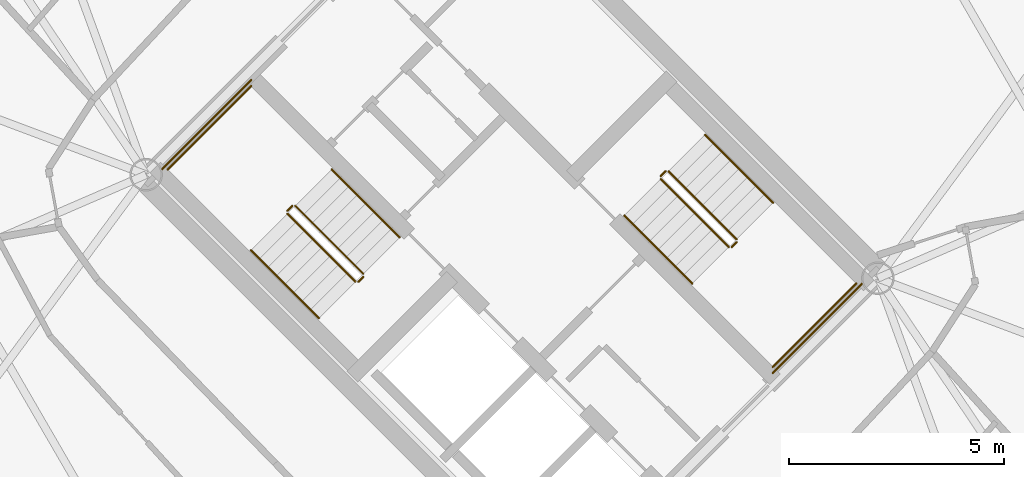
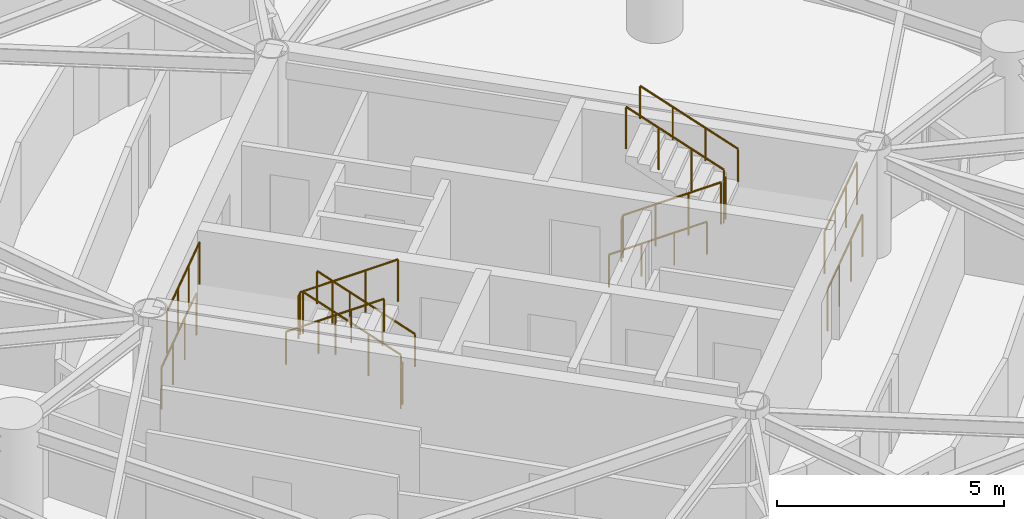
# One storey, part 16 of 17: 16 railings.
"""IFC4 building model written with IfcOpenShell, lengths in metres."""

from ifc_helpers import new_model, si_unit, direction, frame, origin, origin_2d, place, context, subcontext, project, spatial, circle, extrude, material, type_object, element, save


model = new_model("IFC4")

# Units and contexts
model_context = context("Model", 3, precision=1e-05, world=origin(), true_north=direction((0.0, 1.0)))
body_context = subcontext(model_context, "Body", "Model", "MODEL_VIEW")
ifc_project = project(units=[si_unit("LENGTHUNIT", "METRE"), si_unit("AREAUNIT", "SQUARE_METRE"), si_unit("VOLUMEUNIT", "CUBIC_METRE"), si_unit("PLANEANGLEUNIT", "RADIAN"), si_unit("MASSUNIT", "GRAM", prefix="KILO")], contexts=[model_context])

# Site, building, storey
site_placement = place(None, origin())
site = spatial("IfcSite", under=ifc_project, at=site_placement, CompositionType="ELEMENT")
building_placement = place(site_placement, origin())
building = spatial("IfcBuilding", under=site, at=building_placement, Name="Cununo Teusaquillo Station Towers", CompositionType="ELEMENT")
storey_placement = place(building_placement, frame((0.0, 0.0, 163.239990234375)))
storey = spatial("IfcBuildingStorey", under=building, at=storey_placement, Name="L51", CompositionType="ELEMENT", Elevation=163.239990234375)

# Railings
ifc_material_1 = material(Name="Steel EN 10025-2 S355J2", Category="steel")
railing_type_1 = type_object("IfcRailingType", Name="RL-INT-GUARD", PredefinedType="GUARDRAIL", material=ifc_material_1)
railing_1_placement = place(storey_placement, frame((54.03515625, 23.39697265625, 0.16162109375)))
element("IfcRailing", 1, at=railing_1_placement, inside=storey, type_object=railing_type_1, Name="L51 ST-T2-1 stair guard 1", PredefinedType="GUARDRAIL", context=body_context, shape_type="SweptSolid", body=[
    extrude(circle(Radius=0.02392578125, at=origin_2d()), frame((0.0, 0.0, 1.1259765625), z_axis=(-0.612332353853, 0.612332353853, 0.500098167213), x_axis=(-0.707106781187, -0.707106781187, 0.0)), (0.0, 0.0, 1.0), 2.58642578125),
    extrude(circle(Radius=0.02099609375, at=origin_2d()), origin(), (0.0, 0.0, 1.0), 1.101806640625),
    extrude(circle(Radius=0.02099609375, at=origin_2d()), frame((-0.52783203125, 0.52783203125, 0.43115234375)), (0.0, 0.0, 1.0), 1.101806640625),
    extrude(circle(Radius=0.02099609375, at=origin_2d()), frame((-1.055908203125, 1.055908203125, 0.8623046875)), (0.0, 0.0, 1.0), 1.101806640625),
    extrude(circle(Radius=0.02099609375, at=origin_2d()), frame((-1.583740234375, 1.583740234375, 1.29345703125)), (0.0, 0.0, 1.0), 1.101806640625),
])
railing_2_placement = place(storey_placement, frame((52.380615234375, 24.980712890625, 1.455078125)))
element("IfcRailing", 2, at=railing_2_placement, inside=storey, type_object=railing_type_1, Name="L51 ST-T2-1 stair guard 2", PredefinedType="GUARDRAIL", context=body_context, shape_type="SweptSolid", body=[
    extrude(circle(Radius=0.02392578125, at=origin_2d()), frame((0.0, 0.0, 1.1259765625), z_axis=(-0.7078691598, -0.706343579714, 0.0), x_axis=(0.706343579714, -0.7078691598, 0.0)), (0.0, 0.0, 1.0), 0.159912109375),
    extrude(circle(Radius=0.02099609375, at=origin_2d()), origin(), (0.0, 0.0, 1.0), 1.101806640625),
    extrude(circle(Radius=0.02099609375, at=origin_2d()), frame((-0.11328125, -0.113037109375, 0.0)), (0.0, 0.0, 1.0), 1.101806640625),
])
railing_3_placement = place(storey_placement, frame((51.426025390625, 27.77392578125, 1.455078125)))
element("IfcRailing", 3, at=railing_3_placement, inside=storey, type_object=railing_type_1, Name="L51 ST-T2-1 stair guard 3", PredefinedType="GUARDRAIL", context=body_context, shape_type="SweptSolid", body=[
    extrude(circle(Radius=0.02392578125, at=origin_2d()), frame((0.0, 0.0, 1.1259765625), z_axis=(-0.707106781187, -0.707106781187, 0.0), x_axis=(0.707106781187, -0.707106781187, 0.0)), (0.0, 0.0, 1.0), 2.760009765625),
    extrude(circle(Radius=0.02099609375, at=origin_2d()), origin(), (0.0, 0.0, 1.0), 1.101806640625),
    extrude(circle(Radius=0.02099609375, at=origin_2d()), frame((-0.650634765625, -0.650634765625, 0.0)), (0.0, 0.0, 1.0), 1.101806640625),
    extrude(circle(Radius=0.02099609375, at=origin_2d()), frame((-1.301025390625, -1.301025390625, 0.0)), (0.0, 0.0, 1.0), 1.101806640625),
    extrude(circle(Radius=0.02099609375, at=origin_2d()), frame((-1.95166015625, -1.95166015625, 0.0)), (0.0, 0.0, 1.0), 1.101806640625),
])
railing_4_placement = place(storey_placement, frame((52.267333984375, 24.796875, 1.61669921875)))
element("IfcRailing", 4, at=railing_4_placement, inside=storey, type_object=railing_type_1, Name="L51 ST-T2-1 stair guard 4", PredefinedType="GUARDRAIL", context=body_context, shape_type="SweptSolid", body=[
    extrude(circle(Radius=0.02392578125, at=origin_2d()), frame((0.0, 0.0, 1.1259765625), z_axis=(0.612420254088, -0.612325861324, 0.499998471934), x_axis=(0.707052281454, 0.707161276719, 0.0)), (0.0, 0.0, 1.0), 2.58642578125),
    extrude(circle(Radius=0.02099609375, at=origin_2d()), origin(), (0.0, 0.0, 1.0), 1.101806640625),
    extrude(circle(Radius=0.02099609375, at=origin_2d()), frame((0.528076171875, -0.52783203125, 0.43115234375)), (0.0, 0.0, 1.0), 1.101806640625),
    extrude(circle(Radius=0.02099609375, at=origin_2d()), frame((1.055908203125, -1.055908203125, 0.862060546875)), (0.0, 0.0, 1.0), 1.101806640625),
    extrude(circle(Radius=0.02099609375, at=origin_2d()), frame((1.583984375, -1.583740234375, 1.293212890625)), (0.0, 0.0, 1.0), 1.101806640625),
])
railing_5_placement = place(storey_placement, frame((54.03515625, 23.326171875, 0.0)))
element("IfcRailing", 5, at=railing_5_placement, inside=storey, type_object=railing_type_1, Name="L51 ST-T2-1 stair guard 5", PredefinedType="GUARDRAIL", context=body_context, shape_type="SweptSolid", body=[
    extrude(circle(Radius=0.02392578125, at=origin_2d()), frame((0.0, 0.0, 1.1259765625), z_axis=(-0.707106781187, -0.707106781187, 0.0), x_axis=(0.707106781187, -0.707106781187, 0.0)), (0.0, 0.0, 1.0), 0.159912109375),
    extrude(circle(Radius=0.02099609375, at=origin_2d()), origin(), (0.0, 0.0, 1.0), 1.101806640625),
    extrude(circle(Radius=0.02099609375, at=origin_2d()), frame((-0.113037109375, -0.113037109375, 0.0)), (0.0, 0.0, 1.0), 1.101806640625),
])
railing_6_placement = place(storey_placement, frame((51.426025390625, 27.915283203125, 0.0)))
element("IfcRailing", 6, at=railing_6_placement, inside=storey, type_object=railing_type_1, Name="L51 ST-T2-1 stair guard 6", PredefinedType="GUARDRAIL", context=body_context, shape_type="SweptSolid", body=[
    extrude(circle(Radius=0.02392578125, at=origin_2d()), frame((0.0, 0.0, 1.1259765625), z_axis=(-0.707106781187, -0.707106781187, 0.0), x_axis=(0.707106781187, -0.707106781187, 0.0)), (0.0, 0.0, 1.0), 2.9599609375),
    extrude(circle(Radius=0.02099609375, at=origin_2d()), origin(), (0.0, 0.0, 1.0), 1.101806640625),
    extrude(circle(Radius=0.02099609375, at=origin_2d()), frame((-0.69775390625, -0.69775390625, 0.0)), (0.0, 0.0, 1.0), 1.101806640625),
    extrude(circle(Radius=0.02099609375, at=origin_2d()), frame((-1.395263671875, -1.395263671875, 0.0)), (0.0, 0.0, 1.0), 1.101806640625),
    extrude(circle(Radius=0.02099609375, at=origin_2d()), frame((-2.093017578125, -2.093017578125, 0.0)), (0.0, 0.0, 1.0), 1.101806640625),
])
railing_7_placement = place(storey_placement, frame((60.96484375, 25.60302734375, 0.16162109375)))
element("IfcRailing", 7, at=railing_7_placement, inside=storey, type_object=railing_type_1, Name="L51 ST-T2-2 stair guard 1", PredefinedType="GUARDRAIL", context=body_context, shape_type="SweptSolid", body=[
    extrude(circle(Radius=0.02392578125, at=origin_2d()), frame((0.0, 0.0, 1.1259765625), z_axis=(0.612332353853, -0.612332353853, 0.500098167213), x_axis=(0.707106781187, 0.707106781187, 0.0)), (0.0, 0.0, 1.0), 2.58642578125),
    extrude(circle(Radius=0.02099609375, at=origin_2d()), origin(), (0.0, 0.0, 1.0), 1.101806640625),
    extrude(circle(Radius=0.02099609375, at=origin_2d()), frame((0.52783203125, -0.52783203125, 0.43115234375)), (0.0, 0.0, 1.0), 1.101806640625),
    extrude(circle(Radius=0.02099609375, at=origin_2d()), frame((1.055908203125, -1.055908203125, 0.8623046875)), (0.0, 0.0, 1.0), 1.101806640625),
    extrude(circle(Radius=0.02099609375, at=origin_2d()), frame((1.583740234375, -1.583740234375, 1.29345703125)), (0.0, 0.0, 1.0), 1.101806640625),
])
railing_8_placement = place(storey_placement, frame((62.619384765625, 24.019287109375, 1.455078125)))
element("IfcRailing", 8, at=railing_8_placement, inside=storey, type_object=railing_type_1, Name="L51 ST-T2-2 stair guard 2", PredefinedType="GUARDRAIL", context=body_context, shape_type="SweptSolid", body=[
    extrude(circle(Radius=0.02392578125, at=origin_2d()), frame((0.0, 0.0, 1.1259765625), z_axis=(0.7078691598, 0.706343579714, 0.0), x_axis=(-0.706343579714, 0.7078691598, 0.0)), (0.0, 0.0, 1.0), 0.159912109375),
    extrude(circle(Radius=0.02099609375, at=origin_2d()), origin(), (0.0, 0.0, 1.0), 1.101806640625),
    extrude(circle(Radius=0.02099609375, at=origin_2d()), frame((0.11328125, 0.113037109375, 0.0)), (0.0, 0.0, 1.0), 1.101806640625),
])
railing_9_placement = place(storey_placement, frame((63.573974609375, 21.22607421875, 1.455078125)))
element("IfcRailing", 9, at=railing_9_placement, inside=storey, type_object=railing_type_1, Name="L51 ST-T2-2 stair guard 3", PredefinedType="GUARDRAIL", context=body_context, shape_type="SweptSolid", body=[
    extrude(circle(Radius=0.02392578125, at=origin_2d()), frame((0.0, 0.0, 1.1259765625), z_axis=(0.707106781187, 0.707106781187, 0.0), x_axis=(-0.707106781187, 0.707106781187, 0.0)), (0.0, 0.0, 1.0), 2.760009765625),
    extrude(circle(Radius=0.02099609375, at=origin_2d()), origin(), (0.0, 0.0, 1.0), 1.101806640625),
    extrude(circle(Radius=0.02099609375, at=origin_2d()), frame((0.650634765625, 0.650634765625, 0.0)), (0.0, 0.0, 1.0), 1.101806640625),
    extrude(circle(Radius=0.02099609375, at=origin_2d()), frame((1.301025390625, 1.301025390625, 0.0)), (0.0, 0.0, 1.0), 1.101806640625),
    extrude(circle(Radius=0.02099609375, at=origin_2d()), frame((1.95166015625, 1.95166015625, 0.0)), (0.0, 0.0, 1.0), 1.101806640625),
])
railing_10_placement = place(storey_placement, frame((62.732666015625, 24.203125, 1.61669921875)))
element("IfcRailing", 10, at=railing_10_placement, inside=storey, type_object=railing_type_1, Name="L51 ST-T2-2 stair guard 4", PredefinedType="GUARDRAIL", context=body_context, shape_type="SweptSolid", body=[
    extrude(circle(Radius=0.02392578125, at=origin_2d()), frame((0.0, 0.0, 1.1259765625), z_axis=(-0.612420254088, 0.612325861324, 0.499998471934), x_axis=(-0.707052281454, -0.707161276719, 0.0)), (0.0, 0.0, 1.0), 2.58642578125),
    extrude(circle(Radius=0.02099609375, at=origin_2d()), origin(), (0.0, 0.0, 1.0), 1.101806640625),
    extrude(circle(Radius=0.02099609375, at=origin_2d()), frame((-0.528076171875, 0.52783203125, 0.43115234375)), (0.0, 0.0, 1.0), 1.101806640625),
    extrude(circle(Radius=0.02099609375, at=origin_2d()), frame((-1.055908203125, 1.055908203125, 0.862060546875)), (0.0, 0.0, 1.0), 1.101806640625),
    extrude(circle(Radius=0.02099609375, at=origin_2d()), frame((-1.583984375, 1.583740234375, 1.293212890625)), (0.0, 0.0, 1.0), 1.101806640625),
])
railing_11_placement = place(storey_placement, frame((60.96484375, 25.673828125, 0.0)))
element("IfcRailing", 11, at=railing_11_placement, inside=storey, type_object=railing_type_1, Name="L51 ST-T2-2 stair guard 5", PredefinedType="GUARDRAIL", context=body_context, shape_type="SweptSolid", body=[
    extrude(circle(Radius=0.02392578125, at=origin_2d()), frame((0.0, 0.0, 1.1259765625), z_axis=(0.707106781187, 0.707106781187, 0.0), x_axis=(-0.707106781187, 0.707106781187, 0.0)), (0.0, 0.0, 1.0), 0.159912109375),
    extrude(circle(Radius=0.02099609375, at=origin_2d()), origin(), (0.0, 0.0, 1.0), 1.101806640625),
    extrude(circle(Radius=0.02099609375, at=origin_2d()), frame((0.113037109375, 0.113037109375, 0.0)), (0.0, 0.0, 1.0), 1.101806640625),
])
railing_12_placement = place(storey_placement, frame((63.573974609375, 21.084716796875, 0.0)))
element("IfcRailing", 12, at=railing_12_placement, inside=storey, type_object=railing_type_1, Name="L51 ST-T2-2 stair guard 6", PredefinedType="GUARDRAIL", context=body_context, shape_type="SweptSolid", body=[
    extrude(circle(Radius=0.02392578125, at=origin_2d()), frame((0.0, 0.0, 1.1259765625), z_axis=(0.707106781187, 0.707106781187, 0.0), x_axis=(-0.707106781187, 0.707106781187, 0.0)), (0.0, 0.0, 1.0), 2.9599609375),
    extrude(circle(Radius=0.02099609375, at=origin_2d()), origin(), (0.0, 0.0, 1.0), 1.101806640625),
    extrude(circle(Radius=0.02099609375, at=origin_2d()), frame((0.69775390625, 0.69775390625, 0.0)), (0.0, 0.0, 1.0), 1.101806640625),
    extrude(circle(Radius=0.02099609375, at=origin_2d()), frame((1.395263671875, 1.395263671875, 0.0)), (0.0, 0.0, 1.0), 1.101806640625),
    extrude(circle(Radius=0.02099609375, at=origin_2d()), frame((2.093017578125, 2.093017578125, 0.0)), (0.0, 0.0, 1.0), 1.101806640625),
])
ifc_material_2 = material(Name="Steel EN 10025-2 S355J2", Category="steel")
railing_type_2 = type_object("IfcRailingType", Name="RL-INT-HRAIL", PredefinedType="HANDRAIL", material=ifc_material_2)
railing_13_placement = place(storey_placement, frame((54.8837890625, 24.245361328125, 0.16162109375)))
element("IfcRailing", 13, at=railing_13_placement, inside=storey, type_object=railing_type_2, Name="L51 ST-T2-1 stair handrail 1", PredefinedType="HANDRAIL", context=body_context, shape_type="SweptSolid", body=[
    extrude(circle(Radius=0.02392578125, at=origin_2d()), frame((0.0, 0.0, 0.8759765625), z_axis=(-0.612355957468, 0.612355957468, 0.500040361077), x_axis=(-0.707106781187, -0.707106781187, 0.0)), (0.0, 0.0, 1.0), 2.586669921875),
    extrude(circle(Radius=0.02099609375, at=origin_2d()), origin(), (0.0, 0.0, 1.0), 0.851806640625),
    extrude(circle(Radius=0.02099609375, at=origin_2d()), frame((-0.528076171875, 0.528076171875, 0.43115234375)), (0.0, 0.0, 1.0), 0.851806640625),
    extrude(circle(Radius=0.02099609375, at=origin_2d()), frame((-1.055908203125, 1.055908203125, 0.8623046875)), (0.0, 0.0, 1.0), 0.851806640625),
    extrude(circle(Radius=0.02099609375, at=origin_2d()), frame((-1.583984375, 1.583984375, 1.29345703125)), (0.0, 0.0, 1.0), 0.851806640625),
])
railing_14_placement = place(storey_placement, frame((51.4189453125, 23.948486328125, 1.61669921875)))
element("IfcRailing", 14, at=railing_14_placement, inside=storey, type_object=railing_type_2, Name="L51 ST-T2-1 stair handrail 2", PredefinedType="HANDRAIL", context=body_context, shape_type="SweptSolid", body=[
    extrude(circle(Radius=0.02392578125, at=origin_2d()), frame((0.0, 0.0, 0.8759765625), z_axis=(0.612384857071, -0.612384857071, 0.499969572735), x_axis=(0.707106781187, 0.707106781187, 0.0)), (0.0, 0.0, 1.0), 2.586669921875),
    extrude(circle(Radius=0.02099609375, at=origin_2d()), origin(), (0.0, 0.0, 1.0), 0.851806640625),
    extrude(circle(Radius=0.02099609375, at=origin_2d()), frame((0.528076171875, -0.528076171875, 0.43115234375)), (0.0, 0.0, 1.0), 0.851806640625),
    extrude(circle(Radius=0.02099609375, at=origin_2d()), frame((1.055908203125, -1.055908203125, 0.862060546875)), (0.0, 0.0, 1.0), 0.851806640625),
    extrude(circle(Radius=0.02099609375, at=origin_2d()), frame((1.583984375, -1.583984375, 1.293212890625)), (0.0, 0.0, 1.0), 0.851806640625),
])
railing_15_placement = place(storey_placement, frame((60.1162109375, 24.754638671875, 0.16162109375)))
element("IfcRailing", 15, at=railing_15_placement, inside=storey, type_object=railing_type_2, Name="L51 ST-T2-2 stair handrail 1", PredefinedType="HANDRAIL", context=body_context, shape_type="SweptSolid", body=[
    extrude(circle(Radius=0.02392578125, at=origin_2d()), frame((0.0, 0.0, 0.8759765625), z_axis=(0.612355957468, -0.612355957468, 0.500040361077), x_axis=(0.707106781187, 0.707106781187, 0.0)), (0.0, 0.0, 1.0), 2.586669921875),
    extrude(circle(Radius=0.02099609375, at=origin_2d()), origin(), (0.0, 0.0, 1.0), 0.851806640625),
    extrude(circle(Radius=0.02099609375, at=origin_2d()), frame((0.528076171875, -0.528076171875, 0.43115234375)), (0.0, 0.0, 1.0), 0.851806640625),
    extrude(circle(Radius=0.02099609375, at=origin_2d()), frame((1.055908203125, -1.055908203125, 0.8623046875)), (0.0, 0.0, 1.0), 0.851806640625),
    extrude(circle(Radius=0.02099609375, at=origin_2d()), frame((1.583984375, -1.583984375, 1.29345703125)), (0.0, 0.0, 1.0), 0.851806640625),
])
railing_16_placement = place(storey_placement, frame((63.5810546875, 25.051513671875, 1.61669921875)))
element("IfcRailing", 16, at=railing_16_placement, inside=storey, type_object=railing_type_2, Name="L51 ST-T2-2 stair handrail 2", PredefinedType="HANDRAIL", context=body_context, shape_type="SweptSolid", body=[
    extrude(circle(Radius=0.02392578125, at=origin_2d()), frame((0.0, 0.0, 0.8759765625), z_axis=(-0.612384857071, 0.612384857071, 0.499969572735), x_axis=(-0.707106781187, -0.707106781187, 0.0)), (0.0, 0.0, 1.0), 2.586669921875),
    extrude(circle(Radius=0.02099609375, at=origin_2d()), origin(), (0.0, 0.0, 1.0), 0.851806640625),
    extrude(circle(Radius=0.02099609375, at=origin_2d()), frame((-0.528076171875, 0.528076171875, 0.43115234375)), (0.0, 0.0, 1.0), 0.851806640625),
    extrude(circle(Radius=0.02099609375, at=origin_2d()), frame((-1.055908203125, 1.055908203125, 0.862060546875)), (0.0, 0.0, 1.0), 0.851806640625),
    extrude(circle(Radius=0.02099609375, at=origin_2d()), frame((-1.583984375, 1.583984375, 1.293212890625)), (0.0, 0.0, 1.0), 0.851806640625),
])

save(model, "model.ifc")
